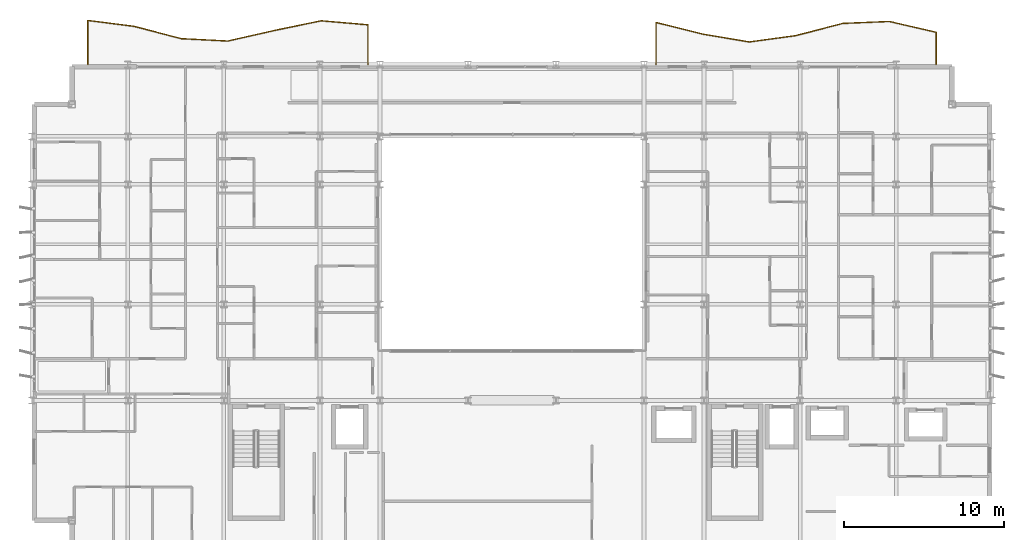
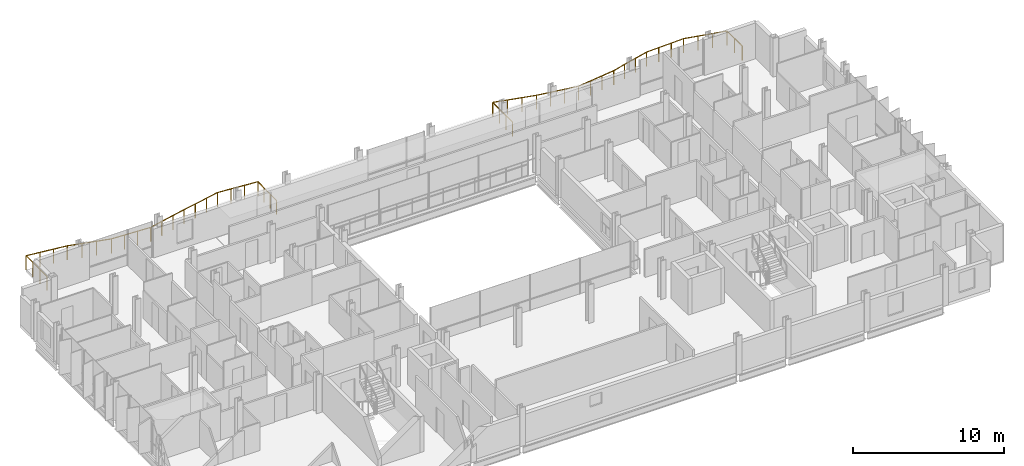
# One storey, part 38 of 38: 2 railings.
"""IFC4 building model written with IfcOpenShell, lengths in metres."""

from ifc_helpers import new_model, si_unit, direction, frame, origin, origin_2d, place, context, subcontext, project, spatial, circle, extrude, material, type_object, element, save


model = new_model("IFC4")

# Units and contexts
model_context = context("Model", 3, precision=1e-05, world=origin(), true_north=direction((0.0, 1.0)))
body_context = subcontext(model_context, "Body", "Model", "MODEL_VIEW")
ifc_project = project(units=[si_unit("LENGTHUNIT", "METRE"), si_unit("AREAUNIT", "SQUARE_METRE"), si_unit("VOLUMEUNIT", "CUBIC_METRE"), si_unit("PLANEANGLEUNIT", "RADIAN"), si_unit("MASSUNIT", "GRAM", prefix="KILO")], contexts=[model_context])

# Site, building, storey
site_placement = place(None, origin())
site = spatial("IfcSite", under=ifc_project, at=site_placement, CompositionType="ELEMENT")
building_placement = place(site_placement, origin())
building = spatial("IfcBuilding", under=site, at=building_placement, Name="Brevholm Reach", CompositionType="ELEMENT")
storey_placement = place(building_placement, frame((0.0, 0.0, 128.300048828125)))
storey = spatial("IfcBuildingStorey", under=building, at=storey_placement, Name="L38", CompositionType="ELEMENT", Elevation=128.300048828125)

# Railings
ifc_material = material(Name="Brushed Stainless Steel EN 1.4401 and Laminated Glass", Category="steel")
railing_type = type_object("IfcRailingType", Name="RAL-BALC-1150", PredefinedType="BALUSTRADE", material=ifc_material)
railing_1_placement = place(storey_placement, frame((56.5, 31.0, 0.0)))
element("IfcRailing", 1, at=railing_1_placement, inside=storey, type_object=railing_type, Name="L38 Guard Balustrade RAL-L38-BAL-NE", PredefinedType="BALUSTRADE", context=body_context, shape_type="SweptSolid", body=[
    extrude(circle(Radius=0.02392578125, at=origin_2d()), frame((0.0, 0.0, 1.1259765625), z_axis=(0.0, 1.0, 0.0), x_axis=(-1.0, 0.0, 0.0)), (0.0, 0.0, 1.0), 2.00439453125),
    extrude(circle(Radius=0.02392578125, at=origin_2d()), frame((0.0, 2.00439453125, 1.1259765625), z_axis=(-0.974086615793, 0.226175296912, 0.0), x_axis=(-0.226175296912, -0.974086615793, 0.0)), (0.0, 0.0, 1.0), 2.994384765625),
    extrude(circle(Radius=0.02392578125, at=origin_2d()), frame((-2.916748046875, 2.681640625, 1.1259765625), z_axis=(-0.999139150441, -0.041484431493, 0.0), x_axis=(0.041484431493, -0.999139150441, 0.0)), (0.0, 0.0, 1.0), 2.9189453125),
    extrude(circle(Radius=0.02392578125, at=origin_2d()), frame((-5.833251953125, 2.560546875, 1.1259765625), z_axis=(-0.967688627029, -0.252148212601, 0.0), x_axis=(0.252148212601, -0.967688627029, 0.0)), (0.0, 0.0, 1.0), 3.01416015625),
    extrude(circle(Radius=0.02392578125, at=origin_2d()), frame((-8.75, 1.800537109375, 1.1259765625), z_axis=(-0.990776091279, -0.135509176626, 0.0), x_axis=(0.135509176626, -0.990776091279, 0.0)), (0.0, 0.0, 1.0), 2.94384765625),
    extrude(circle(Radius=0.02392578125, at=origin_2d()), frame((-11.666748046875, 1.401611328125, 1.1259765625), z_axis=(-0.986326897089, 0.164800643445, 0.0), x_axis=(-0.164800643445, -0.986326897089, 0.0)), (0.0, 0.0, 1.0), 2.95703125),
    extrude(circle(Radius=0.02392578125, at=origin_2d()), frame((-14.583251953125, 1.888916015625, 1.1259765625), z_axis=(-0.969908046993, 0.243471518618, 0.0), x_axis=(-0.243471518618, -0.969908046993, 0.0)), (0.0, 0.0, 1.0), 3.00732421875),
    extrude(circle(Radius=0.02392578125, at=origin_2d()), frame((-17.5, 2.62109375, 1.1259765625), z_axis=(0.0, -1.0, 0.0), x_axis=(1.0, 0.0, 0.0)), (0.0, 0.0, 1.0), 2.62109375),
    extrude(circle(Radius=0.02099609375, at=origin_2d()), origin(), (0.0, 0.0, 1.0), 1.101806640625),
    extrude(circle(Radius=0.02099609375, at=origin_2d()), frame((0.0, 1.002197265625, 0.0)), (0.0, 0.0, 1.0), 1.101806640625),
    extrude(circle(Radius=0.02099609375, at=origin_2d()), frame((0.0, 2.00439453125, 0.0)), (0.0, 0.0, 1.0), 1.101806640625),
    extrude(circle(Radius=0.02099609375, at=origin_2d()), frame((-0.97216796875, 2.230224609375, 0.0)), (0.0, 0.0, 1.0), 1.101806640625),
    extrude(circle(Radius=0.02099609375, at=origin_2d()), frame((-1.944580078125, 2.455810546875, 0.0)), (0.0, 0.0, 1.0), 1.101806640625),
    extrude(circle(Radius=0.02099609375, at=origin_2d()), frame((-2.916748046875, 2.681640625, 0.0)), (0.0, 0.0, 1.0), 1.101806640625),
    extrude(circle(Radius=0.02099609375, at=origin_2d()), frame((-3.888916015625, 2.641357421875, 0.0)), (0.0, 0.0, 1.0), 1.101806640625),
    extrude(circle(Radius=0.02099609375, at=origin_2d()), frame((-4.861083984375, 2.600830078125, 0.0)), (0.0, 0.0, 1.0), 1.101806640625),
    extrude(circle(Radius=0.02099609375, at=origin_2d()), frame((-5.833251953125, 2.560546875, 0.0)), (0.0, 0.0, 1.0), 1.101806640625),
    extrude(circle(Radius=0.02099609375, at=origin_2d()), frame((-6.805419921875, 2.30712890625, 0.0)), (0.0, 0.0, 1.0), 1.101806640625),
    extrude(circle(Radius=0.02099609375, at=origin_2d()), frame((-7.77783203125, 2.053955078125, 0.0)), (0.0, 0.0, 1.0), 1.101806640625),
    extrude(circle(Radius=0.02099609375, at=origin_2d()), frame((-8.75, 1.800537109375, 0.0)), (0.0, 0.0, 1.0), 1.101806640625),
    extrude(circle(Radius=0.02099609375, at=origin_2d()), frame((-9.72216796875, 1.66748046875, 0.0)), (0.0, 0.0, 1.0), 1.101806640625),
    extrude(circle(Radius=0.02099609375, at=origin_2d()), frame((-10.694580078125, 1.53466796875, 0.0)), (0.0, 0.0, 1.0), 1.101806640625),
    extrude(circle(Radius=0.02099609375, at=origin_2d()), frame((-11.666748046875, 1.401611328125, 0.0)), (0.0, 0.0, 1.0), 1.101806640625),
    extrude(circle(Radius=0.02099609375, at=origin_2d()), frame((-12.638916015625, 1.56396484375, 0.0)), (0.0, 0.0, 1.0), 1.101806640625),
    extrude(circle(Radius=0.02099609375, at=origin_2d()), frame((-13.611083984375, 1.7265625, 0.0)), (0.0, 0.0, 1.0), 1.101806640625),
    extrude(circle(Radius=0.02099609375, at=origin_2d()), frame((-14.583251953125, 1.888916015625, 0.0)), (0.0, 0.0, 1.0), 1.101806640625),
    extrude(circle(Radius=0.02099609375, at=origin_2d()), frame((-15.555419921875, 2.133056640625, 0.0)), (0.0, 0.0, 1.0), 1.101806640625),
    extrude(circle(Radius=0.02099609375, at=origin_2d()), frame((-16.52783203125, 2.376953125, 0.0)), (0.0, 0.0, 1.0), 1.101806640625),
    extrude(circle(Radius=0.02099609375, at=origin_2d()), frame((-17.5, 2.62109375, 0.0)), (0.0, 0.0, 1.0), 1.101806640625),
    extrude(circle(Radius=0.02099609375, at=origin_2d()), frame((-17.5, 1.747314453125, 0.0)), (0.0, 0.0, 1.0), 1.101806640625),
    extrude(circle(Radius=0.02099609375, at=origin_2d()), frame((-17.5, 0.873779296875, 0.0)), (0.0, 0.0, 1.0), 1.101806640625),
    extrude(circle(Radius=0.02099609375, at=origin_2d()), frame((-17.5, 0.0, 0.0)), (0.0, 0.0, 1.0), 1.101806640625),
])
railing_2_placement = place(storey_placement, frame((21.0, 31.0, 0.0)))
element("IfcRailing", 2, at=railing_2_placement, inside=storey, type_object=railing_type, Name="L38 Guard Balustrade RAL-L38-BAL-NW", PredefinedType="BALUSTRADE", context=body_context, shape_type="SweptSolid", body=[
    extrude(circle(Radius=0.02392578125, at=origin_2d()), frame((0.0, 0.0, 1.1259765625), z_axis=(0.0, 1.0, 0.0), x_axis=(-1.0, 0.0, 0.0)), (0.0, 0.0, 1.0), 2.4716796875),
    extrude(circle(Radius=0.02392578125, at=origin_2d()), frame((0.0, 2.4716796875, 1.1259765625), z_axis=(-0.996282713287, 0.086143805376, 0.0), x_axis=(-0.086143805376, -0.996282713287, 0.0)), (0.0, 0.0, 1.0), 2.927734375),
    extrude(circle(Radius=0.02392578125, at=origin_2d()), frame((-2.916748046875, 2.723876953125, 1.1259765625), z_axis=(-0.979367411888, -0.202087784221, 0.0), x_axis=(0.202087784221, -0.979367411888, 0.0)), (0.0, 0.0, 1.0), 2.97802734375),
    extrude(circle(Radius=0.02392578125, at=origin_2d()), frame((-5.833251953125, 2.1220703125, 1.1259765625), z_axis=(-0.975083925705, -0.221836286102, 0.0), x_axis=(0.221836286102, -0.975083925705, 0.0)), (0.0, 0.0, 1.0), 2.9912109375),
    extrude(circle(Radius=0.02392578125, at=origin_2d()), frame((-8.75, 1.45849609375, 1.1259765625), z_axis=(-0.998720239463, 0.050575520622, 0.0), x_axis=(-0.050575520622, -0.998720239463, 0.0)), (0.0, 0.0, 1.0), 2.92041015625),
    extrude(circle(Radius=0.02392578125, at=origin_2d()), frame((-11.666748046875, 1.606201171875, 1.1259765625), z_axis=(-0.967306983138, 0.25360836022, 0.0), x_axis=(-0.25360836022, -0.967306983138, 0.0)), (0.0, 0.0, 1.0), 3.01513671875),
    extrude(circle(Radius=0.02392578125, at=origin_2d()), frame((-14.583251953125, 2.370849609375, 1.1259765625), z_axis=(-0.991815212116, 0.12768157665, 0.0), x_axis=(-0.12768157665, -0.991815212116, 0.0)), (0.0, 0.0, 1.0), 2.94091796875),
    extrude(circle(Radius=0.02392578125, at=origin_2d()), frame((-17.5, 2.746337890625, 1.1259765625), z_axis=(0.0, -1.0, 0.0), x_axis=(1.0, 0.0, 0.0)), (0.0, 0.0, 1.0), 2.746337890625),
    extrude(circle(Radius=0.02099609375, at=origin_2d()), origin(), (0.0, 0.0, 1.0), 1.101806640625),
    extrude(circle(Radius=0.02099609375, at=origin_2d()), frame((0.0, 0.823974609375, 0.0)), (0.0, 0.0, 1.0), 1.101806640625),
    extrude(circle(Radius=0.02099609375, at=origin_2d()), frame((0.0, 1.647705078125, 0.0)), (0.0, 0.0, 1.0), 1.101806640625),
    extrude(circle(Radius=0.02099609375, at=origin_2d()), frame((0.0, 2.4716796875, 0.0)), (0.0, 0.0, 1.0), 1.101806640625),
    extrude(circle(Radius=0.02099609375, at=origin_2d()), frame((-0.97216796875, 2.5556640625, 0.0)), (0.0, 0.0, 1.0), 1.101806640625),
    extrude(circle(Radius=0.02099609375, at=origin_2d()), frame((-1.944580078125, 2.639892578125, 0.0)), (0.0, 0.0, 1.0), 1.101806640625),
    extrude(circle(Radius=0.02099609375, at=origin_2d()), frame((-2.916748046875, 2.723876953125, 0.0)), (0.0, 0.0, 1.0), 1.101806640625),
    extrude(circle(Radius=0.02099609375, at=origin_2d()), frame((-3.888916015625, 2.523193359375, 0.0)), (0.0, 0.0, 1.0), 1.101806640625),
    extrude(circle(Radius=0.02099609375, at=origin_2d()), frame((-4.861083984375, 2.32275390625, 0.0)), (0.0, 0.0, 1.0), 1.101806640625),
    extrude(circle(Radius=0.02099609375, at=origin_2d()), frame((-5.833251953125, 2.1220703125, 0.0)), (0.0, 0.0, 1.0), 1.101806640625),
    extrude(circle(Radius=0.02099609375, at=origin_2d()), frame((-6.805419921875, 1.90087890625, 0.0)), (0.0, 0.0, 1.0), 1.101806640625),
    extrude(circle(Radius=0.02099609375, at=origin_2d()), frame((-7.77783203125, 1.6796875, 0.0)), (0.0, 0.0, 1.0), 1.101806640625),
    extrude(circle(Radius=0.02099609375, at=origin_2d()), frame((-8.75, 1.45849609375, 0.0)), (0.0, 0.0, 1.0), 1.101806640625),
    extrude(circle(Radius=0.02099609375, at=origin_2d()), frame((-9.72216796875, 1.5078125, 0.0)), (0.0, 0.0, 1.0), 1.101806640625),
    extrude(circle(Radius=0.02099609375, at=origin_2d()), frame((-10.694580078125, 1.556884765625, 0.0)), (0.0, 0.0, 1.0), 1.101806640625),
    extrude(circle(Radius=0.02099609375, at=origin_2d()), frame((-11.666748046875, 1.606201171875, 0.0)), (0.0, 0.0, 1.0), 1.101806640625),
    extrude(circle(Radius=0.02099609375, at=origin_2d()), frame((-12.638916015625, 1.861083984375, 0.0)), (0.0, 0.0, 1.0), 1.101806640625),
    extrude(circle(Radius=0.02099609375, at=origin_2d()), frame((-13.611083984375, 2.115966796875, 0.0)), (0.0, 0.0, 1.0), 1.101806640625),
    extrude(circle(Radius=0.02099609375, at=origin_2d()), frame((-14.583251953125, 2.370849609375, 0.0)), (0.0, 0.0, 1.0), 1.101806640625),
    extrude(circle(Radius=0.02099609375, at=origin_2d()), frame((-15.555419921875, 2.49609375, 0.0)), (0.0, 0.0, 1.0), 1.101806640625),
    extrude(circle(Radius=0.02099609375, at=origin_2d()), frame((-16.52783203125, 2.62109375, 0.0)), (0.0, 0.0, 1.0), 1.101806640625),
    extrude(circle(Radius=0.02099609375, at=origin_2d()), frame((-17.5, 2.746337890625, 0.0)), (0.0, 0.0, 1.0), 1.101806640625),
    extrude(circle(Radius=0.02099609375, at=origin_2d()), frame((-17.5, 1.830810546875, 0.0)), (0.0, 0.0, 1.0), 1.101806640625),
    extrude(circle(Radius=0.02099609375, at=origin_2d()), frame((-17.5, 0.91552734375, 0.0)), (0.0, 0.0, 1.0), 1.101806640625),
    extrude(circle(Radius=0.02099609375, at=origin_2d()), frame((-17.5, 0.0, 0.0)), (0.0, 0.0, 1.0), 1.101806640625),
])

save(model, "model.ifc")
